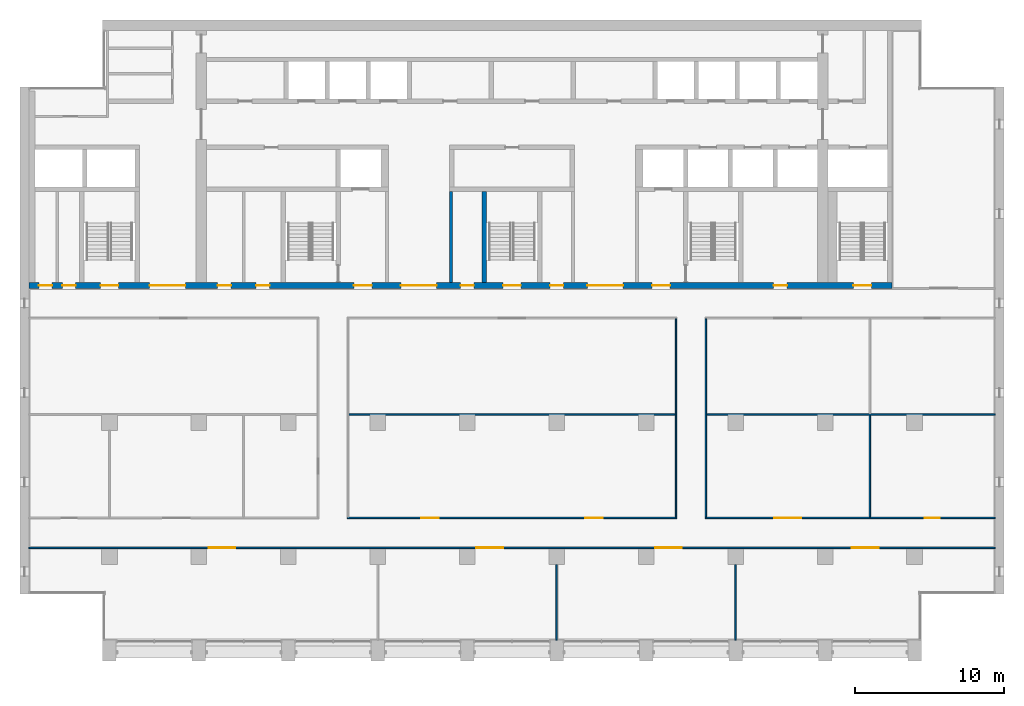
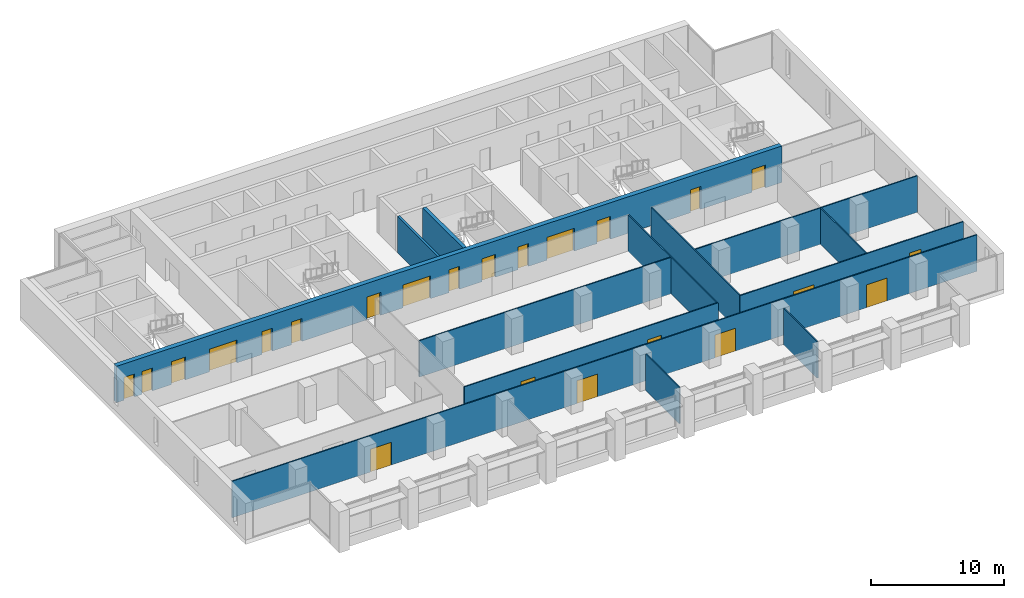
# One storey, part 9 of 17: 23 doors, 13 walls, 23 openings.
"""IFC4 building model written with IfcOpenShell, lengths in metres."""

import ifcopenshell
import ifcopenshell.guid

model = None  # the IFC model being written
_history = None  # IfcOwnerHistory: only IFC2X3 demands one
_inside = {}  # id of a spatial element -> (the spatial element, [elements in it])
_under = {}  # id of a project, library or spatial element -> (it, [spatial elements below it])
_declared = {}  # id of a project -> (the project, [libraries it declares])
_typed = {}  # id of a type object -> (the type object, [elements of that type])
_made_of = {}  # id of a material, layer set ... -> (it, [elements and type objects made of it])


def new_model(schema):
    """Start an empty IFC model of exactly this schema.

    Asked for "IFC4X3", IfcOpenShell would pick the latest addendum, in which some entities
    have other attributes; the version numbers below select the first issue.
    IFC2X3 requires an IfcOwnerHistory on every rooted entity: one is made here for all.
    """
    global model, _history
    if schema == "IFC4X3":
        model = ifcopenshell.file(schema_version=(4, 3, 0, 0))
    else:
        model = ifcopenshell.file(schema=schema)
    _inside.clear()
    _under.clear()
    _declared.clear()
    _typed.clear()
    _made_of.clear()
    _history = None
    if model.schema == "IFC2X3":
        org = make("IfcOrganization", Name="unknown")
        user = make(
            "IfcPersonAndOrganization",
            ThePerson=make("IfcPerson", FamilyName="unknown"),
            TheOrganization=org,
        )
        app = make(
            "IfcApplication",
            ApplicationDeveloper=org,
            Version="unknown",
            ApplicationFullName="unknown",
            ApplicationIdentifier="unknown",
        )
        _history = make(
            "IfcOwnerHistory",
            OwningUser=user,
            OwningApplication=app,
            ChangeAction="ADDED",
            CreationDate=0,
        )
    return model


def make(cls, **values):
    """One entity of the class cls with the attributes given. An attribute that is None is left unset."""
    return model.create_entity(
        cls, **{name: value for name, value in values.items() if value is not None}
    )


def rooted(cls, **values):
    """An entity with a GlobalId (a new one), such as an element, a storey or a relation."""
    return make(cls, GlobalId=ifcopenshell.guid.new(), OwnerHistory=_history, **values)


def si_unit(unit_type, name, prefix=None):
    """IfcSIUnit, for example si_unit("LENGTHUNIT", "METRE", prefix="MILLI")."""
    return make("IfcSIUnit", UnitType=unit_type, Prefix=prefix, Name=name)


def assignment(units):
    """IfcUnitAssignment: the units of a project."""
    return None if units is None else make("IfcUnitAssignment", Units=units)


def point(xyz):
    """IfcCartesianPoint."""
    return None if xyz is None else make("IfcCartesianPoint", Coordinates=xyz)


def direction(xyz):
    """IfcDirection."""
    return None if xyz is None else make("IfcDirection", DirectionRatios=xyz)


def frame(location, z_axis=None, x_axis=None):
    """IfcAxis2Placement3D, a coordinate frame: its origin and axes. An axis left out is left unset."""
    return make(
        "IfcAxis2Placement3D",
        Location=point(location),
        Axis=direction(z_axis),
        RefDirection=direction(x_axis),
    )


def frame_2d(location, x_axis=None):
    """IfcAxis2Placement2D, a coordinate frame in the plane: its origin and x axis."""
    return make(
        "IfcAxis2Placement2D", Location=point(location), RefDirection=direction(x_axis)
    )


def origin():
    """The frame at (0, 0, 0) with its axes left unset."""
    return frame((0.0, 0.0, 0.0))


def place(relative_to, where):
    """IfcLocalPlacement: puts the frame where relative to a parent placement (None: the world)."""
    return make(
        "IfcLocalPlacement", PlacementRelTo=relative_to, RelativePlacement=where
    )


def context(
    kind, dimensions, precision=None, world=None, true_north=None, identifier=None
):
    """IfcGeometricRepresentationContext, for example the 3D "Model" context."""
    return make(
        "IfcGeometricRepresentationContext",
        ContextIdentifier=identifier,
        ContextType=kind,
        CoordinateSpaceDimension=dimensions,
        Precision=precision,
        WorldCoordinateSystem=world,
        TrueNorth=true_north,
    )


def subcontext(parent, identifier, kind, view, scale=None):
    """IfcGeometricRepresentationSubContext, for example "Body" below "Model"."""
    return make(
        "IfcGeometricRepresentationSubContext",
        ContextIdentifier=identifier,
        ContextType=kind,
        ParentContext=parent,
        TargetScale=scale,
        TargetView=view,
    )


def project(units=None, contexts=None):
    """IfcProject with its units and contexts."""
    return rooted(
        "IfcProject",
        Name="project",
        RepresentationContexts=contexts,
        UnitsInContext=assignment(units),
    )


def spatial(cls, under=None, at=None, **own):
    """A site, building, storey or space (cls), placed at a placement, below another one or the project."""
    s = rooted(cls, ObjectPlacement=at, **own)
    if under is not None:
        _under.setdefault(under.id(), (under, []))[1].append(s)
    return s


def profile(cls, at=None, kind="AREA", **sizes):
    """A parametric profile (cls). Its sizes go by their IFC names, for example OverallWidth=200.0."""
    return make(cls, ProfileType=kind, Position=at, **sizes)


def rectangle(**sizes):
    """IfcRectangleProfileDef."""
    return profile("IfcRectangleProfileDef", **sizes)


def extrude(swept, where, along, depth):
    """IfcExtrudedAreaSolid: the profile swept, set in the frame where, extruded along a direction by depth."""
    return make(
        "IfcExtrudedAreaSolid",
        SweptArea=swept,
        Position=where,
        ExtrudedDirection=direction(along),
        Depth=depth,
    )


def shape(context_of_items, identifier, shape_type, items):
    """IfcShapeRepresentation: the items that make up one representation, for example the "Body"."""
    return make(
        "IfcShapeRepresentation",
        ContextOfItems=context_of_items,
        RepresentationIdentifier=identifier,
        RepresentationType=shape_type,
        Items=items,
    )


def material(Name=None, Category=None):
    """IfcMaterial."""
    return make("IfcMaterial", Name=Name, Category=Category)


def layer(
    of_material, thickness, ventilated=None, Name=None, Category=None, Priority=None
):
    """IfcMaterialLayer: one layer of a wall or slab, of a material (None: an air gap)."""
    return make(
        "IfcMaterialLayer",
        Material=of_material,
        LayerThickness=thickness,
        IsVentilated=ventilated,
        Name=Name,
        Category=Category,
        Priority=Priority,
    )


def layer_set(layers, Name=None):
    """IfcMaterialLayerSet."""
    return make("IfcMaterialLayerSet", MaterialLayers=layers, LayerSetName=Name)


def made_of(thing, what):
    """Note that an element or type object is made of a material, layer set ...; save() writes the relation."""
    if what is not None:
        _made_of.setdefault(what.id(), (what, []))[1].append(thing)
    return thing


def type_object(cls, material=None, **own):
    """A type object (cls), such as IfcWallType, which elements share."""
    return made_of(rooted(cls, **own), material)


def element(
    cls,
    number,
    at=None,
    inside=None,
    cuts=None,
    type_object=None,
    material=None,
    context=None,
    identifier="Body",
    shape_type=None,
    held_by="IfcProductDefinitionShape",
    body=None,
    shapes=None,
    **own,
):
    """One element of the class cls, such as IfcWall. Its Tag is "e" and its number.

    at: its placement. inside: the storey or other place that contains it. cuts: it is an
    opening in that element (IfcRelVoidsElement). A single representation is given by context,
    identifier, shape_type and body (its items); several are given by shapes. held_by: the class
    of the entity that holds the representations. save() writes the other relations.
    """
    e = rooted(cls, Tag="e%d" % number, ObjectPlacement=at, **own)
    if body is not None:
        shapes = [shape(context, identifier, shape_type, body)]
    if shapes is not None:
        e.Representation = make(held_by, Representations=shapes)
    if inside is not None:
        _inside.setdefault(inside.id(), (inside, []))[1].append(e)
    if cuts is not None:
        rooted(
            "IfcRelVoidsElement", RelatingBuildingElement=cuts, RelatedOpeningElement=e
        )
    if type_object is not None:
        _typed.setdefault(type_object.id(), (type_object, []))[1].append(e)
    return made_of(e, material)


def fill(opening, filler):
    """IfcRelFillsElement: the door or window that sits in an opening."""
    return rooted(
        "IfcRelFillsElement",
        RelatingOpeningElement=opening,
        RelatedBuildingElement=filler,
    )


def aggregate(whole, parts):
    """IfcRelAggregates: a whole, such as a stair, and the parts it consists of."""
    return rooted("IfcRelAggregates", RelatingObject=whole, RelatedObjects=parts)


def save(model, path):
    """Write the relations noted so far, then the file.

    IfcRelAggregates (storeys below a building ...), IfcRelContainedInSpatialStructure (elements
    in a storey), IfcRelDefinesByType, IfcRelAssociatesMaterial and IfcRelDeclares: one each for
    every whole, place, type object, material and project.
    """
    for whole, parts in _under.values():
        aggregate(whole, parts)
    for where, things in _inside.values():
        rooted(
            "IfcRelContainedInSpatialStructure",
            RelatedElements=things,
            RelatingStructure=where,
        )
    for kind, things in _typed.values():
        rooted("IfcRelDefinesByType", RelatedObjects=things, RelatingType=kind)
    for what, things in _made_of.values():
        rooted("IfcRelAssociatesMaterial", RelatedObjects=things, RelatingMaterial=what)
    for by, libraries in _declared.values():
        rooted("IfcRelDeclares", RelatingContext=by, RelatedDefinitions=libraries)
    model.write(path)


model = new_model("IFC4")

# Units and contexts
model_context = context("Model", 3, precision=1e-05, world=origin(), true_north=direction((0.0, 1.0)))
body_context = subcontext(model_context, "Body", "Model", "MODEL_VIEW")
ifc_project = project(units=[si_unit("LENGTHUNIT", "METRE"), si_unit("AREAUNIT", "SQUARE_METRE"), si_unit("VOLUMEUNIT", "CUBIC_METRE"), si_unit("PLANEANGLEUNIT", "RADIAN"), si_unit("MASSUNIT", "GRAM", prefix="KILO")], contexts=[model_context])

# Site, building, storey
site_placement = place(None, origin())
site = spatial("IfcSite", under=ifc_project, at=site_placement, CompositionType="ELEMENT")
building_placement = place(site_placement, origin())
building = spatial("IfcBuilding", under=site, at=building_placement, Name="Calvaro Tower", CompositionType="ELEMENT")
storey_placement = place(building_placement, frame((0.0, 0.0, 208.0)))
storey = spatial("IfcBuildingStorey", under=building, at=storey_placement, Name="L52", CompositionType="ELEMENT", Elevation=208.0)

# Walls
ifc_material_1 = material(Name="Blockwork partition", Category="masonry")
ifc_layer_1 = layer(ifc_material_1, 0.199951171875)
ifc_layer_set_1 = layer_set([ifc_layer_1], Name="Blockwork partition")
wall_type_1 = type_object("IfcWallType", Name="Core partition 200 REI 120", PredefinedType="PARTITIONING", material=ifc_layer_set_1)
wall_1_placement = place(storey_placement, frame((34.89990234375, 28.39990234375, 0.0), z_axis=(0.0, 0.0, 1.0), x_axis=(0.0, 1.0, 0.0)))
element("IfcWall", 1, at=wall_1_placement, inside=storey, type_object=wall_type_1, Name="Core partition", PredefinedType="PARTITIONING", context=body_context, shape_type="SweptSolid", body=[
    extrude(rectangle(XDim=6.10009765625, YDim=0.199951171875, at=frame_2d((3.050048828125, 0.0))), origin(), (0.0, 0.0, 1.0), 3.35009765625),
])
ifc_material_2 = material(Name="Concrete C50/60", Category="concrete")
ifc_layer_2 = layer(ifc_material_2, 0.300048828125)
ifc_layer_set_2 = layer_set([ifc_layer_2], Name="Concrete C50/60")
wall_type_2 = type_object("IfcWallType", Name="Core wall C50/60 300", PredefinedType="SHEAR", material=ifc_layer_set_2)
wall_2_placement = place(storey_placement, frame((37.14990234375, 28.39990234375, 0.0), z_axis=(0.0, 0.0, 1.0), x_axis=(0.0, 1.0, 0.0)))
element("IfcWall", 2, at=wall_2_placement, inside=storey, type_object=wall_type_2, Name="Core wall, stair enclosure", PredefinedType="SHEAR", context=body_context, shape_type="SweptSolid", body=[
    extrude(rectangle(XDim=6.10009765625, YDim=0.300048828125, at=frame_2d((3.050048828125, 0.0))), origin(), (0.0, 0.0, 1.0), 3.35009765625),
])

# Wall, openings, doors
ifc_material_3 = material(Name="Concrete C50/60", Category="concrete")
ifc_layer_3 = layer(ifc_material_3, 0.39990234375)
ifc_layer_set_3 = layer_set([ifc_layer_3], Name="Concrete C50/60")
wall_type_3 = type_object("IfcWallType", Name="Core wall C50/60 400", PredefinedType="SHEAR", material=ifc_layer_set_3)
wall_3_placement = place(storey_placement, frame((6.60009765625, 28.199951171875, 0.0), z_axis=(0.0, 0.0, 1.0), x_axis=(1.0, 0.0, 0.0)))
wall_3 = element("IfcWall", 3, at=wall_3_placement, inside=storey, type_object=wall_type_3, Name="Core wall, front", PredefinedType="SHEAR", context=body_context, shape_type="SweptSolid", body=[
    extrude(rectangle(XDim=57.89990234375, YDim=0.39990234375, at=frame_2d((28.949951171875, 0.0))), origin(), (0.0, 0.0, 1.0), 3.35009765625),
])
opening_1_placement = place(wall_3_placement, frame((12.66259765625, 0.0, 0.0)))
opening_1 = element("IfcOpeningElement", 4, at=opening_1_placement, cuts=wall_3, Name="Opening RD9E", PredefinedType="OPENING", context=body_context, shape_type="SweptSolid", body=[
    extrude(rectangle(XDim=0.89990234375, YDim=2.10009765625, at=frame_2d((0.449951171875, 1.050048828125))), frame((0.0, 0.2099609375, 0.0), z_axis=(0.0, -1.0, 0.0), x_axis=(1.0, 0.0, 0.0)), (0.0, 0.0, 1.0), 0.419921875),
])
opening_2_placement = place(wall_3_placement, frame((15.237548828125, 0.0, 0.0)))
opening_2 = element("IfcOpeningElement", 5, at=opening_2_placement, cuts=wall_3, Name="Opening RD9C", PredefinedType="OPENING", context=body_context, shape_type="SweptSolid", body=[
    extrude(rectangle(XDim=0.89990234375, YDim=2.10009765625, at=frame_2d((0.449951171875, 1.050048828125))), frame((0.0, 0.2099609375, 0.0), z_axis=(0.0, -1.0, 0.0), x_axis=(1.0, 0.0, 0.0)), (0.0, 0.0, 1.0), 0.419921875),
])
opening_3_placement = place(wall_3_placement, frame((49.949951171875, 0.0, 0.0)))
opening_3 = element("IfcOpeningElement", 6, at=opening_3_placement, cuts=wall_3, Name="Opening RD9E", PredefinedType="OPENING", context=body_context, shape_type="SweptSolid", body=[
    extrude(rectangle(XDim=0.89990234375, YDim=2.10009765625, at=frame_2d((0.449951171875, 1.050048828125))), frame((0.0, 0.2099609375, 0.0), z_axis=(0.0, -1.0, 0.0), x_axis=(1.0, 0.0, 0.0)), (0.0, 0.0, 1.0), 0.419921875),
])
opening_4_placement = place(wall_3_placement, frame((0.66259765625, 0.0, 0.0)))
opening_4 = element("IfcOpeningElement", 7, at=opening_4_placement, cuts=wall_3, Name="Opening RD9C", PredefinedType="OPENING", context=body_context, shape_type="SweptSolid", body=[
    extrude(rectangle(XDim=0.89990234375, YDim=2.10009765625, at=frame_2d((0.449951171875, 1.050048828125))), frame((0.0, 0.2099609375, 0.0), z_axis=(0.0, -1.0, 0.0), x_axis=(1.0, 0.0, 0.0)), (0.0, 0.0, 1.0), 0.419921875),
])
opening_5_placement = place(wall_3_placement, frame((2.237548828125, 0.0, 0.0)))
opening_5 = element("IfcOpeningElement", 8, at=opening_5_placement, cuts=wall_3, Name="Opening RD9E", PredefinedType="OPENING", context=body_context, shape_type="SweptSolid", body=[
    extrude(rectangle(XDim=0.89990234375, YDim=2.10009765625, at=frame_2d((0.449951171875, 1.050048828125))), frame((0.0, 0.2099609375, 0.0), z_axis=(0.0, -1.0, 0.0), x_axis=(1.0, 0.0, 0.0)), (0.0, 0.0, 1.0), 0.419921875),
])
opening_6_placement = place(wall_3_placement, frame((4.800048828125, 0.0, 0.0)))
opening_6 = element("IfcOpeningElement", 9, at=opening_6_placement, cuts=wall_3, Name="Opening SD12D", PredefinedType="OPENING", context=body_context, shape_type="SweptSolid", body=[
    extrude(rectangle(XDim=1.199951171875, YDim=2.10009765625, at=frame_2d((0.60009765625, 1.050048828125))), frame((0.0, 0.2099609375, 0.0), z_axis=(0.0, -1.0, 0.0), x_axis=(1.0, 0.0, 0.0)), (0.0, 0.0, 1.0), 0.419921875),
])
opening_7_placement = place(wall_3_placement, frame((31.800048828125, 0.0, 0.0)))
opening_7 = element("IfcOpeningElement", 10, at=opening_7_placement, cuts=wall_3, Name="Opening SD12D", PredefinedType="OPENING", context=body_context, shape_type="SweptSolid", body=[
    extrude(rectangle(XDim=1.199951171875, YDim=2.10009765625, at=frame_2d((0.60009765625, 1.050048828125))), frame((0.0, 0.2099609375, 0.0), z_axis=(0.0, -1.0, 0.0), x_axis=(1.0, 0.0, 0.0)), (0.0, 0.0, 1.0), 0.419921875),
])
opening_8_placement = place(wall_3_placement, frame((55.300048828125, 0.0, 0.0)))
opening_8 = element("IfcOpeningElement", 11, at=opening_8_placement, cuts=wall_3, Name="Opening SD12D", PredefinedType="OPENING", context=body_context, shape_type="SweptSolid", body=[
    extrude(rectangle(XDim=1.199951171875, YDim=2.10009765625, at=frame_2d((0.60009765625, 1.050048828125))), frame((0.0, 0.2099609375, 0.0), z_axis=(0.0, -1.0, 0.0), x_axis=(1.0, 0.0, 0.0)), (0.0, 0.0, 1.0), 0.419921875),
])
opening_9_placement = place(wall_3_placement, frame((21.800048828125, 0.0, 0.0)))
opening_9 = element("IfcOpeningElement", 12, at=opening_9_placement, cuts=wall_3, Name="Opening FD12F", PredefinedType="OPENING", context=body_context, shape_type="SweptSolid", body=[
    extrude(rectangle(XDim=1.199951171875, YDim=2.10009765625, at=frame_2d((0.60009765625, 1.050048828125))), frame((0.0, 0.2099609375, 0.0), z_axis=(0.0, -1.0, 0.0), x_axis=(1.0, 0.0, 0.0)), (0.0, 0.0, 1.0), 0.419921875),
])
opening_10_placement = place(wall_3_placement, frame((41.800048828125, 0.0, 0.0)))
opening_10 = element("IfcOpeningElement", 13, at=opening_10_placement, cuts=wall_3, Name="Opening FD12F", PredefinedType="OPENING", context=body_context, shape_type="SweptSolid", body=[
    extrude(rectangle(XDim=1.199951171875, YDim=2.10009765625, at=frame_2d((0.60009765625, 1.050048828125))), frame((0.0, 0.2099609375, 0.0), z_axis=(0.0, -1.0, 0.0), x_axis=(1.0, 0.0, 0.0)), (0.0, 0.0, 1.0), 0.419921875),
])
opening_11_placement = place(wall_3_placement, frame((24.949951171875, 0.0, 0.0)))
opening_11 = element("IfcOpeningElement", 14, at=opening_11_placement, cuts=wall_3, Name="Opening DD24D", PredefinedType="OPENING", context=body_context, shape_type="SweptSolid", body=[
    extrude(rectangle(XDim=2.39990234375, YDim=2.10009765625, at=frame_2d((1.199951171875, 1.050048828125))), frame((0.0, 0.2099609375, 0.0), z_axis=(0.0, -1.0, 0.0), x_axis=(1.0, 0.0, 0.0)), (0.0, 0.0, 1.0), 0.419921875),
])
opening_12_placement = place(wall_3_placement, frame((37.449951171875, 0.0, 0.0)))
opening_12 = element("IfcOpeningElement", 15, at=opening_12_placement, cuts=wall_3, Name="Opening DD24D", PredefinedType="OPENING", context=body_context, shape_type="SweptSolid", body=[
    extrude(rectangle(XDim=2.39990234375, YDim=2.10009765625, at=frame_2d((1.199951171875, 1.050048828125))), frame((0.0, 0.2099609375, 0.0), z_axis=(0.0, -1.0, 0.0), x_axis=(1.0, 0.0, 0.0)), (0.0, 0.0, 1.0), 0.419921875),
])
opening_13_placement = place(wall_3_placement, frame((8.10009765625, 0.0, 0.0)))
opening_13 = element("IfcOpeningElement", 16, at=opening_13_placement, cuts=wall_3, Name="Opening DD24D", PredefinedType="OPENING", context=body_context, shape_type="SweptSolid", body=[
    extrude(rectangle(XDim=2.39990234375, YDim=2.10009765625, at=frame_2d((1.199951171875, 1.050048828125))), frame((0.0, 0.2099609375, 0.0), z_axis=(0.0, -1.0, 0.0), x_axis=(1.0, 0.0, 0.0)), (0.0, 0.0, 1.0), 0.419921875),
])
opening_14_placement = place(wall_3_placement, frame((28.949951171875, 0.0, 0.0)))
opening_14 = element("IfcOpeningElement", 17, at=opening_14_placement, cuts=wall_3, Name="Opening RD9E", PredefinedType="OPENING", context=body_context, shape_type="SweptSolid", body=[
    extrude(rectangle(XDim=0.89990234375, YDim=2.10009765625, at=frame_2d((0.449951171875, 1.050048828125))), frame((0.0, 0.2099609375, 0.0), z_axis=(0.0, -1.0, 0.0), x_axis=(1.0, 0.0, 0.0)), (0.0, 0.0, 1.0), 0.419921875),
])
opening_15_placement = place(wall_3_placement, frame((34.949951171875, 0.0, 0.0)))
opening_15 = element("IfcOpeningElement", 18, at=opening_15_placement, cuts=wall_3, Name="Opening RD9E", PredefinedType="OPENING", context=body_context, shape_type="SweptSolid", body=[
    extrude(rectangle(XDim=0.89990234375, YDim=2.10009765625, at=frame_2d((0.449951171875, 1.050048828125))), frame((0.0, 0.2099609375, 0.0), z_axis=(0.0, -1.0, 0.0), x_axis=(1.0, 0.0, 0.0)), (0.0, 0.0, 1.0), 0.419921875),
])
ifc_material_4 = material(Name="Steel door set", Category="steel")
door_type_1 = type_object("IfcDoorType", Name="Fire door 1200 FD60S", OperationType="SINGLE_SWING_LEFT", PredefinedType="DOOR", material=ifc_material_4)
door_1_placement = place(opening_9_placement, origin())
door_1 = element("IfcDoor", 19, at=door_1_placement, inside=storey, type_object=door_type_1, Name="Fire door", OperationType="SINGLE_SWING_LEFT", OverallHeight=2.10009765625, OverallWidth=1.199951171875, PredefinedType="DOOR", context=body_context, shape_type="SweptSolid", body=[
    extrude(rectangle(XDim=1.199951171875, YDim=2.10009765625, at=frame_2d((0.60009765625, 1.050048828125))), frame((0.0, 0.02490234375, 0.0), z_axis=(0.0, -1.0, 0.0), x_axis=(1.0, 0.0, 0.0)), (0.0, 0.0, 1.0), 0.050048828125),
])
fill(opening_9, door_1)
door_2_placement = place(opening_10_placement, origin())
door_2 = element("IfcDoor", 20, at=door_2_placement, inside=storey, type_object=door_type_1, Name="Fire door", OperationType="SINGLE_SWING_LEFT", OverallHeight=2.10009765625, OverallWidth=1.199951171875, PredefinedType="DOOR", context=body_context, shape_type="SweptSolid", body=[
    extrude(rectangle(XDim=1.199951171875, YDim=2.10009765625, at=frame_2d((0.60009765625, 1.050048828125))), frame((0.0, 0.02490234375, 0.0), z_axis=(0.0, -1.0, 0.0), x_axis=(1.0, 0.0, 0.0)), (0.0, 0.0, 1.0), 0.050048828125),
])
fill(opening_10, door_2)
ifc_material_5 = material(Name="Steel door set", Category="steel")
door_type_2 = type_object("IfcDoorType", Name="Lobby double door 2400 FD30S", OperationType="DOUBLE_DOOR_SINGLE_SWING", PredefinedType="DOOR", material=ifc_material_5)
door_3_placement = place(opening_11_placement, origin())
door_3 = element("IfcDoor", 21, at=door_3_placement, inside=storey, type_object=door_type_2, Name="Lobby double door", OperationType="DOUBLE_DOOR_SINGLE_SWING", OverallHeight=2.10009765625, OverallWidth=2.39990234375, PredefinedType="DOOR", context=body_context, shape_type="SweptSolid", body=[
    extrude(rectangle(XDim=2.39990234375, YDim=2.10009765625, at=frame_2d((1.199951171875, 1.050048828125))), frame((0.0, 0.02490234375, 0.0), z_axis=(0.0, -1.0, 0.0), x_axis=(1.0, 0.0, 0.0)), (0.0, 0.0, 1.0), 0.050048828125),
])
fill(opening_11, door_3)
door_4_placement = place(opening_12_placement, origin())
door_4 = element("IfcDoor", 22, at=door_4_placement, inside=storey, type_object=door_type_2, Name="Lobby double door", OperationType="DOUBLE_DOOR_SINGLE_SWING", OverallHeight=2.10009765625, OverallWidth=2.39990234375, PredefinedType="DOOR", context=body_context, shape_type="SweptSolid", body=[
    extrude(rectangle(XDim=2.39990234375, YDim=2.10009765625, at=frame_2d((1.199951171875, 1.050048828125))), frame((0.0, 0.02490234375, 0.0), z_axis=(0.0, -1.0, 0.0), x_axis=(1.0, 0.0, 0.0)), (0.0, 0.0, 1.0), 0.050048828125),
])
fill(opening_12, door_4)
door_5_placement = place(opening_13_placement, origin())
door_5 = element("IfcDoor", 23, at=door_5_placement, inside=storey, type_object=door_type_2, Name="Lobby double door", OperationType="DOUBLE_DOOR_SINGLE_SWING", OverallHeight=2.10009765625, OverallWidth=2.39990234375, PredefinedType="DOOR", context=body_context, shape_type="SweptSolid", body=[
    extrude(rectangle(XDim=2.39990234375, YDim=2.10009765625, at=frame_2d((1.199951171875, 1.050048828125))), frame((0.0, 0.02490234375, 0.0), z_axis=(0.0, -1.0, 0.0), x_axis=(1.0, 0.0, 0.0)), (0.0, 0.0, 1.0), 0.050048828125),
])
fill(opening_13, door_5)
ifc_material_6 = material(Name="Steel door set", Category="steel")
door_type_3 = type_object("IfcDoorType", Name="Room door 900 FD30", OperationType="SINGLE_SWING_LEFT", PredefinedType="DOOR", material=ifc_material_6)
door_6_placement = place(opening_2_placement, origin())
door_6 = element("IfcDoor", 24, at=door_6_placement, inside=storey, type_object=door_type_3, Name="Room door", OperationType="SINGLE_SWING_RIGHT", OverallHeight=2.10009765625, OverallWidth=0.89990234375, PredefinedType="DOOR", context=body_context, shape_type="SweptSolid", body=[
    extrude(rectangle(XDim=0.89990234375, YDim=2.10009765625, at=frame_2d((0.449951171875, 1.050048828125))), frame((0.0, 0.02490234375, 0.0), z_axis=(0.0, -1.0, 0.0), x_axis=(1.0, 0.0, 0.0)), (0.0, 0.0, 1.0), 0.050048828125),
])
fill(opening_2, door_6)
door_7_placement = place(opening_4_placement, origin())
door_7 = element("IfcDoor", 25, at=door_7_placement, inside=storey, type_object=door_type_3, Name="Room door", OperationType="SINGLE_SWING_LEFT", OverallHeight=2.10009765625, OverallWidth=0.89990234375, PredefinedType="DOOR", context=body_context, shape_type="SweptSolid", body=[
    extrude(rectangle(XDim=0.89990234375, YDim=2.10009765625, at=frame_2d((0.449951171875, 1.050048828125))), frame((0.0, 0.02490234375, 0.0), z_axis=(0.0, -1.0, 0.0), x_axis=(1.0, 0.0, 0.0)), (0.0, 0.0, 1.0), 0.050048828125),
])
fill(opening_4, door_7)
ifc_material_7 = material(Name="Steel door set", Category="steel")
door_type_4 = type_object("IfcDoorType", Name="Room door 900 FD60", OperationType="SINGLE_SWING_LEFT", PredefinedType="DOOR", material=ifc_material_7)
door_8_placement = place(opening_1_placement, origin())
door_8 = element("IfcDoor", 26, at=door_8_placement, inside=storey, type_object=door_type_4, Name="Room door", OperationType="SINGLE_SWING_LEFT", OverallHeight=2.10009765625, OverallWidth=0.89990234375, PredefinedType="DOOR", context=body_context, shape_type="SweptSolid", body=[
    extrude(rectangle(XDim=0.89990234375, YDim=2.10009765625, at=frame_2d((0.449951171875, 1.050048828125))), frame((0.0, 0.02490234375, 0.0), z_axis=(0.0, -1.0, 0.0), x_axis=(1.0, 0.0, 0.0)), (0.0, 0.0, 1.0), 0.050048828125),
])
fill(opening_1, door_8)
door_9_placement = place(opening_3_placement, origin())
door_9 = element("IfcDoor", 27, at=door_9_placement, inside=storey, type_object=door_type_4, Name="Room door", OperationType="SINGLE_SWING_LEFT", OverallHeight=2.10009765625, OverallWidth=0.89990234375, PredefinedType="DOOR", context=body_context, shape_type="SweptSolid", body=[
    extrude(rectangle(XDim=0.89990234375, YDim=2.10009765625, at=frame_2d((0.449951171875, 1.050048828125))), frame((0.0, 0.02490234375, 0.0), z_axis=(0.0, -1.0, 0.0), x_axis=(1.0, 0.0, 0.0)), (0.0, 0.0, 1.0), 0.050048828125),
])
fill(opening_3, door_9)
door_10_placement = place(opening_5_placement, origin())
door_10 = element("IfcDoor", 28, at=door_10_placement, inside=storey, type_object=door_type_4, Name="Room door", OperationType="SINGLE_SWING_LEFT", OverallHeight=2.10009765625, OverallWidth=0.89990234375, PredefinedType="DOOR", context=body_context, shape_type="SweptSolid", body=[
    extrude(rectangle(XDim=0.89990234375, YDim=2.10009765625, at=frame_2d((0.449951171875, 1.050048828125))), frame((0.0, 0.02490234375, 0.0), z_axis=(0.0, -1.0, 0.0), x_axis=(1.0, 0.0, 0.0)), (0.0, 0.0, 1.0), 0.050048828125),
])
fill(opening_5, door_10)
door_11_placement = place(opening_14_placement, origin())
door_11 = element("IfcDoor", 29, at=door_11_placement, inside=storey, type_object=door_type_4, Name="Room door", OperationType="SINGLE_SWING_LEFT", OverallHeight=2.10009765625, OverallWidth=0.89990234375, PredefinedType="DOOR", context=body_context, shape_type="SweptSolid", body=[
    extrude(rectangle(XDim=0.89990234375, YDim=2.10009765625, at=frame_2d((0.449951171875, 1.050048828125))), frame((0.0, 0.02490234375, 0.0), z_axis=(0.0, -1.0, 0.0), x_axis=(1.0, 0.0, 0.0)), (0.0, 0.0, 1.0), 0.050048828125),
])
fill(opening_14, door_11)
door_12_placement = place(opening_15_placement, origin())
door_12 = element("IfcDoor", 30, at=door_12_placement, inside=storey, type_object=door_type_4, Name="Room door", OperationType="SINGLE_SWING_LEFT", OverallHeight=2.10009765625, OverallWidth=0.89990234375, PredefinedType="DOOR", context=body_context, shape_type="SweptSolid", body=[
    extrude(rectangle(XDim=0.89990234375, YDim=2.10009765625, at=frame_2d((0.449951171875, 1.050048828125))), frame((0.0, 0.02490234375, 0.0), z_axis=(0.0, -1.0, 0.0), x_axis=(1.0, 0.0, 0.0)), (0.0, 0.0, 1.0), 0.050048828125),
])
fill(opening_15, door_12)
ifc_material_8 = material(Name="Steel door set", Category="steel")
door_type_5 = type_object("IfcDoorType", Name="Stair door 1200 FD30S", OperationType="SINGLE_SWING_LEFT", PredefinedType="DOOR", material=ifc_material_8)
door_13_placement = place(opening_6_placement, origin())
door_13 = element("IfcDoor", 31, at=door_13_placement, inside=storey, type_object=door_type_5, Name="Stair door", OperationType="SINGLE_SWING_LEFT", OverallHeight=2.10009765625, OverallWidth=1.199951171875, PredefinedType="DOOR", context=body_context, shape_type="SweptSolid", body=[
    extrude(rectangle(XDim=1.199951171875, YDim=2.10009765625, at=frame_2d((0.60009765625, 1.050048828125))), frame((0.0, 0.02490234375, 0.0), z_axis=(0.0, -1.0, 0.0), x_axis=(1.0, 0.0, 0.0)), (0.0, 0.0, 1.0), 0.050048828125),
])
fill(opening_6, door_13)
door_14_placement = place(opening_7_placement, origin())
door_14 = element("IfcDoor", 32, at=door_14_placement, inside=storey, type_object=door_type_5, Name="Stair door", OperationType="SINGLE_SWING_LEFT", OverallHeight=2.10009765625, OverallWidth=1.199951171875, PredefinedType="DOOR", context=body_context, shape_type="SweptSolid", body=[
    extrude(rectangle(XDim=1.199951171875, YDim=2.10009765625, at=frame_2d((0.60009765625, 1.050048828125))), frame((0.0, 0.02490234375, 0.0), z_axis=(0.0, -1.0, 0.0), x_axis=(1.0, 0.0, 0.0)), (0.0, 0.0, 1.0), 0.050048828125),
])
fill(opening_7, door_14)
door_15_placement = place(opening_8_placement, origin())
door_15 = element("IfcDoor", 33, at=door_15_placement, inside=storey, type_object=door_type_5, Name="Stair door", OperationType="SINGLE_SWING_LEFT", OverallHeight=2.10009765625, OverallWidth=1.199951171875, PredefinedType="DOOR", context=body_context, shape_type="SweptSolid", body=[
    extrude(rectangle(XDim=1.199951171875, YDim=2.10009765625, at=frame_2d((0.60009765625, 1.050048828125))), frame((0.0, 0.02490234375, 0.0), z_axis=(0.0, -1.0, 0.0), x_axis=(1.0, 0.0, 0.0)), (0.0, 0.0, 1.0), 0.050048828125),
])
fill(opening_8, door_15)

ifc_material_9 = material(Name="Plasterboard on steel studs", Category="steel")
ifc_layer_4 = layer(ifc_material_9, 0.10009765625)
ifc_layer_set_4 = layer_set([ifc_layer_4], Name="Plasterboard on steel studs")
wall_type_4 = type_object("IfcWallType", Name="Partition 100", PredefinedType="PARTITIONING", material=ifc_layer_set_4)
wall_4_placement = place(storey_placement, frame((6.60009765625, 10.60009765625, 0.0), z_axis=(0.0, 0.0, 1.0), x_axis=(1.0, 0.0, 0.0)))
wall_4 = element("IfcWall", 34, at=wall_4_placement, inside=storey, type_object=wall_type_4, Name="Partition T30.W001", PredefinedType="PARTITIONING", context=body_context, shape_type="SweptSolid", body=[
    extrude(rectangle(XDim=64.7998046875, YDim=0.10009765625, at=frame_2d((32.39990234375, 0.0))), origin(), (0.0, 0.0, 1.0), 3.35009765625),
])
opening_16_placement = place(wall_4_placement, frame((30.0, 0.0, 0.0)))
opening_16 = element("IfcOpeningElement", 35, at=opening_16_placement, cuts=wall_4, Name="Opening T30.001", PredefinedType="OPENING", context=body_context, shape_type="SweptSolid", body=[
    extrude(rectangle(XDim=1.800048828125, YDim=2.10009765625, at=frame_2d((0.89990234375, 1.050048828125))), frame((0.0, 0.06005859375, 0.0), z_axis=(0.0, -1.0, 0.0), x_axis=(1.0, 0.0, 0.0)), (0.0, 0.0, 1.0), 0.1201171875),
])
opening_17_placement = place(wall_4_placement, frame((42.0, 0.0, 0.0)))
opening_17 = element("IfcOpeningElement", 36, at=opening_17_placement, cuts=wall_4, Name="Opening T30.002", PredefinedType="OPENING", context=body_context, shape_type="SweptSolid", body=[
    extrude(rectangle(XDim=1.800048828125, YDim=2.10009765625, at=frame_2d((0.89990234375, 1.050048828125))), frame((0.0, 0.06005859375, 0.0), z_axis=(0.0, -1.0, 0.0), x_axis=(1.0, 0.0, 0.0)), (0.0, 0.0, 1.0), 0.1201171875),
])
opening_18_placement = place(wall_4_placement, frame((12.050048828125, 0.0, 0.0)))
opening_18 = element("IfcOpeningElement", 37, at=opening_18_placement, cuts=wall_4, Name="Opening T30.003", PredefinedType="OPENING", context=body_context, shape_type="SweptSolid", body=[
    extrude(rectangle(XDim=1.800048828125, YDim=2.10009765625, at=frame_2d((0.89990234375, 1.050048828125))), frame((0.0, 0.06005859375, 0.0), z_axis=(0.0, -1.0, 0.0), x_axis=(1.0, 0.0, 0.0)), (0.0, 0.0, 1.0), 0.1201171875),
])
opening_19_placement = place(wall_4_placement, frame((55.199951171875, 0.0, 0.0)))
opening_19 = element("IfcOpeningElement", 38, at=opening_19_placement, cuts=wall_4, Name="Opening T30.004", PredefinedType="OPENING", context=body_context, shape_type="SweptSolid", body=[
    extrude(rectangle(XDim=1.800048828125, YDim=2.10009765625, at=frame_2d((0.89990234375, 1.050048828125))), frame((0.0, 0.06005859375, 0.0), z_axis=(0.0, -1.0, 0.0), x_axis=(1.0, 0.0, 0.0)), (0.0, 0.0, 1.0), 0.1201171875),
])
ifc_material_10 = material(Name="Timber", Category="wood")
door_type_6 = type_object("IfcDoorType", Name="Internal double door 1800 x 2100", OperationType="DOUBLE_DOOR_SINGLE_SWING", PredefinedType="DOOR", material=ifc_material_10)
door_16_placement = place(opening_16_placement, origin())
door_16 = element("IfcDoor", 39, at=door_16_placement, inside=storey, type_object=door_type_6, Name="Door T30.001", OperationType="DOUBLE_DOOR_SINGLE_SWING", OverallHeight=2.10009765625, OverallWidth=1.800048828125, PredefinedType="DOOR", context=body_context, shape_type="SweptSolid", body=[
    extrude(rectangle(XDim=1.800048828125, YDim=2.10009765625, at=frame_2d((0.89990234375, 1.050048828125))), frame((0.0, 0.02490234375, 0.0), z_axis=(0.0, -1.0, 0.0), x_axis=(1.0, 0.0, 0.0)), (0.0, 0.0, 1.0), 0.050048828125),
])
fill(opening_16, door_16)
door_17_placement = place(opening_17_placement, origin())
door_17 = element("IfcDoor", 40, at=door_17_placement, inside=storey, type_object=door_type_6, Name="Door T30.002", OperationType="DOUBLE_DOOR_SINGLE_SWING", OverallHeight=2.10009765625, OverallWidth=1.800048828125, PredefinedType="DOOR", context=body_context, shape_type="SweptSolid", body=[
    extrude(rectangle(XDim=1.800048828125, YDim=2.10009765625, at=frame_2d((0.89990234375, 1.050048828125))), frame((0.0, 0.02490234375, 0.0), z_axis=(0.0, -1.0, 0.0), x_axis=(1.0, 0.0, 0.0)), (0.0, 0.0, 1.0), 0.050048828125),
])
fill(opening_17, door_17)
door_18_placement = place(opening_18_placement, origin())
door_18 = element("IfcDoor", 41, at=door_18_placement, inside=storey, type_object=door_type_6, Name="Door T30.003", OperationType="DOUBLE_DOOR_SINGLE_SWING", OverallHeight=2.10009765625, OverallWidth=1.800048828125, PredefinedType="DOOR", context=body_context, shape_type="SweptSolid", body=[
    extrude(rectangle(XDim=1.800048828125, YDim=2.10009765625, at=frame_2d((0.89990234375, 1.050048828125))), frame((0.0, 0.02490234375, 0.0), z_axis=(0.0, -1.0, 0.0), x_axis=(1.0, 0.0, 0.0)), (0.0, 0.0, 1.0), 0.050048828125),
])
fill(opening_18, door_18)
door_19_placement = place(opening_19_placement, origin())
door_19 = element("IfcDoor", 42, at=door_19_placement, inside=storey, type_object=door_type_6, Name="Door T30.004", OperationType="DOUBLE_DOOR_SINGLE_SWING", OverallHeight=2.10009765625, OverallWidth=1.800048828125, PredefinedType="DOOR", context=body_context, shape_type="SweptSolid", body=[
    extrude(rectangle(XDim=1.800048828125, YDim=2.10009765625, at=frame_2d((0.89990234375, 1.050048828125))), frame((0.0, 0.02490234375, 0.0), z_axis=(0.0, -1.0, 0.0), x_axis=(1.0, 0.0, 0.0)), (0.0, 0.0, 1.0), 0.050048828125),
])
fill(opening_19, door_19)

wall_5_placement = place(storey_placement, frame((27.949951171875, 12.60009765625, 0.0), z_axis=(0.0, 0.0, 1.0), x_axis=(1.0, 0.0, 0.0)))
wall_5 = element("IfcWall", 43, at=wall_5_placement, inside=storey, type_object=wall_type_4, Name="Partition T30.W003", PredefinedType="PARTITIONING", context=body_context, shape_type="SweptSolid", body=[
    extrude(rectangle(XDim=22.10009765625, YDim=0.10009765625, at=frame_2d((11.050048828125, 0.0))), origin(), (0.0, 0.0, 1.0), 3.35009765625),
])
opening_20_placement = place(wall_5_placement, frame((4.949951171875, 0.0, 0.0)))
opening_20 = element("IfcOpeningElement", 44, at=opening_20_placement, cuts=wall_5, Name="Opening T30.008", PredefinedType="OPENING", context=body_context, shape_type="SweptSolid", body=[
    extrude(rectangle(XDim=1.199951171875, YDim=2.10009765625, at=frame_2d((0.60009765625, 1.050048828125))), frame((0.0, 0.06005859375, 0.0), z_axis=(0.0, -1.0, 0.0), x_axis=(1.0, 0.0, 0.0)), (0.0, 0.0, 1.0), 0.1201171875),
])
opening_21_placement = place(wall_5_placement, frame((15.949951171875, 0.0, 0.0)))
opening_21 = element("IfcOpeningElement", 45, at=opening_21_placement, cuts=wall_5, Name="Opening T30.009", PredefinedType="OPENING", context=body_context, shape_type="SweptSolid", body=[
    extrude(rectangle(XDim=1.199951171875, YDim=2.10009765625, at=frame_2d((0.60009765625, 1.050048828125))), frame((0.0, 0.06005859375, 0.0), z_axis=(0.0, -1.0, 0.0), x_axis=(1.0, 0.0, 0.0)), (0.0, 0.0, 1.0), 0.1201171875),
])
ifc_material_11 = material(Name="Timber", Category="wood")
door_type_7 = type_object("IfcDoorType", Name="Internal single door 1200 x 2100", OperationType="SINGLE_SWING_LEFT", PredefinedType="DOOR", material=ifc_material_11)
door_20_placement = place(opening_20_placement, origin())
door_20 = element("IfcDoor", 46, at=door_20_placement, inside=storey, type_object=door_type_7, Name="Door T30.008", OperationType="SINGLE_SWING_LEFT", OverallHeight=2.10009765625, OverallWidth=1.199951171875, PredefinedType="DOOR", context=body_context, shape_type="SweptSolid", body=[
    extrude(rectangle(XDim=1.199951171875, YDim=2.10009765625, at=frame_2d((0.60009765625, 1.050048828125))), frame((0.0, 0.02490234375, 0.0), z_axis=(0.0, -1.0, 0.0), x_axis=(1.0, 0.0, 0.0)), (0.0, 0.0, 1.0), 0.050048828125),
])
fill(opening_20, door_20)
door_21_placement = place(opening_21_placement, origin())
door_21 = element("IfcDoor", 47, at=door_21_placement, inside=storey, type_object=door_type_7, Name="Door T30.009", OperationType="SINGLE_SWING_RIGHT", OverallHeight=2.10009765625, OverallWidth=1.199951171875, PredefinedType="DOOR", context=body_context, shape_type="SweptSolid", body=[
    extrude(rectangle(XDim=1.199951171875, YDim=2.10009765625, at=frame_2d((0.60009765625, 1.050048828125))), frame((0.0, 0.02490234375, 0.0), z_axis=(0.0, -1.0, 0.0), x_axis=(1.0, 0.0, 0.0)), (0.0, 0.0, 1.0), 0.050048828125),
])
fill(opening_21, door_21)

wall_6_placement = place(storey_placement, frame((51.949951171875, 12.60009765625, 0.0), z_axis=(0.0, 0.0, 1.0), x_axis=(1.0, 0.0, 0.0)))
wall_6 = element("IfcWall", 48, at=wall_6_placement, inside=storey, type_object=wall_type_4, Name="Partition T30.W004", PredefinedType="PARTITIONING", context=body_context, shape_type="SweptSolid", body=[
    extrude(rectangle(XDim=19.449951171875, YDim=0.10009765625, at=frame_2d((9.72509765625, 0.0))), origin(), (0.0, 0.0, 1.0), 3.35009765625),
])
opening_22_placement = place(wall_6_placement, frame((4.64990234375, 0.0, 0.0)))
opening_22 = element("IfcOpeningElement", 49, at=opening_22_placement, cuts=wall_6, Name="Opening T30.010", PredefinedType="OPENING", context=body_context, shape_type="SweptSolid", body=[
    extrude(rectangle(XDim=1.800048828125, YDim=2.10009765625, at=frame_2d((0.89990234375, 1.050048828125))), frame((0.0, 0.06005859375, 0.0), z_axis=(0.0, -1.0, 0.0), x_axis=(1.0, 0.0, 0.0)), (0.0, 0.0, 1.0), 0.1201171875),
])
opening_23_placement = place(wall_6_placement, frame((14.75, 0.0, 0.0)))
opening_23 = element("IfcOpeningElement", 50, at=opening_23_placement, cuts=wall_6, Name="Opening T30.011", PredefinedType="OPENING", context=body_context, shape_type="SweptSolid", body=[
    extrude(rectangle(XDim=1.0, YDim=2.10009765625, at=frame_2d((0.5, 1.050048828125))), frame((0.0, 0.06005859375, 0.0), z_axis=(0.0, -1.0, 0.0), x_axis=(1.0, 0.0, 0.0)), (0.0, 0.0, 1.0), 0.1201171875),
])
door_22_placement = place(opening_22_placement, origin())
door_22 = element("IfcDoor", 51, at=door_22_placement, inside=storey, type_object=door_type_6, Name="Door T30.010", OperationType="DOUBLE_DOOR_SINGLE_SWING", OverallHeight=2.10009765625, OverallWidth=1.800048828125, PredefinedType="DOOR", context=body_context, shape_type="SweptSolid", body=[
    extrude(rectangle(XDim=1.800048828125, YDim=2.10009765625, at=frame_2d((0.89990234375, 1.050048828125))), frame((0.0, 0.02490234375, 0.0), z_axis=(0.0, -1.0, 0.0), x_axis=(1.0, 0.0, 0.0)), (0.0, 0.0, 1.0), 0.050048828125),
])
fill(opening_22, door_22)
ifc_material_12 = material(Name="Timber", Category="wood")
door_type_8 = type_object("IfcDoorType", Name="Internal single door 1000 x 2100", OperationType="SINGLE_SWING_LEFT", PredefinedType="DOOR", material=ifc_material_12)
door_23_placement = place(opening_23_placement, origin())
door_23 = element("IfcDoor", 52, at=door_23_placement, inside=storey, type_object=door_type_8, Name="Door T30.011", OperationType="SINGLE_SWING_RIGHT", OverallHeight=2.10009765625, OverallWidth=1.0, PredefinedType="DOOR", context=body_context, shape_type="SweptSolid", body=[
    extrude(rectangle(XDim=1.0, YDim=2.10009765625, at=frame_2d((0.5, 1.050048828125))), frame((0.0, 0.02490234375, 0.0), z_axis=(0.0, -1.0, 0.0), x_axis=(1.0, 0.0, 0.0)), (0.0, 0.0, 1.0), 0.050048828125),
])
fill(opening_23, door_23)

# Walls
wall_7_placement = place(storey_placement, frame((28.050048828125, 19.550048828125, 0.0), z_axis=(0.0, 0.0, 1.0), x_axis=(1.0, 0.0, 0.0)))
element("IfcWall", 53, at=wall_7_placement, inside=storey, type_object=wall_type_4, Name="Partition T30.W006", PredefinedType="PARTITIONING", context=body_context, shape_type="SweptSolid", body=[
    extrude(rectangle(XDim=21.89990234375, YDim=0.10009765625, at=frame_2d((10.949951171875, 0.0))), origin(), (0.0, 0.0, 1.0), 3.35009765625),
])
wall_8_placement = place(storey_placement, frame((52.050048828125, 19.550048828125, 0.0), z_axis=(0.0, 0.0, 1.0), x_axis=(1.0, 0.0, 0.0)))
element("IfcWall", 54, at=wall_8_placement, inside=storey, type_object=wall_type_4, Name="Partition T30.W007", PredefinedType="PARTITIONING", context=body_context, shape_type="SweptSolid", body=[
    extrude(rectangle(XDim=19.349853515625, YDim=0.10009765625, at=frame_2d((9.6748046875, 0.0))), origin(), (0.0, 0.0, 1.0), 3.35009765625),
])
wall_9_placement = place(storey_placement, frame((42.0, 4.39990234375, 0.0), z_axis=(0.0, 0.0, 1.0), x_axis=(0.0, 1.0, 0.0)))
element("IfcWall", 55, at=wall_9_placement, inside=storey, type_object=wall_type_4, Name="Partition T30.W017", PredefinedType="PARTITIONING", context=body_context, shape_type="SweptSolid", body=[
    extrude(rectangle(XDim=5.0751953125, YDim=0.10009765625, at=frame_2d((2.53759765625, 0.0))), origin(), (0.0, 0.0, 1.0), 3.35009765625),
])
for number, where, z_axis, x_axis, name in (
    (56, (50.0, 12.64990234375, 0.0), (0.0, 0.0, 1.0), (0.0, 1.0, 0.0), "Partition T30.W018"),
    (57, (52.0, 12.64990234375, 0.0), (0.0, 0.0, 1.0), (0.0, 1.0, 0.0), "Partition T30.W019"),
):
    element("IfcWall", number, at=place(storey_placement, frame(where, z_axis=z_axis, x_axis=x_axis)), inside=storey, type_object=wall_type_4, Name=name, PredefinedType="PARTITIONING", context=body_context, shape_type="SweptSolid", body=[
        extrude(rectangle(XDim=13.300048828125, YDim=0.10009765625, at=frame_2d((6.64990234375, 0.0))), origin(), (0.0, 0.0, 1.0), 3.35009765625),
    ])
wall_10_placement = place(storey_placement, frame((54.0, 4.39990234375, 0.0), z_axis=(0.0, 0.0, 1.0), x_axis=(0.0, 1.0, 0.0)))
element("IfcWall", 58, at=wall_10_placement, inside=storey, type_object=wall_type_4, Name="Partition T30.W020", PredefinedType="PARTITIONING", context=body_context, shape_type="SweptSolid", body=[
    extrude(rectangle(XDim=5.0751953125, YDim=0.10009765625, at=frame_2d((2.53759765625, 0.0))), origin(), (0.0, 0.0, 1.0), 3.35009765625),
])
wall_11_placement = place(storey_placement, frame((63.0, 12.64990234375, 0.0), z_axis=(0.0, 0.0, 1.0), x_axis=(0.0, 1.0, 0.0)))
element("IfcWall", 59, at=wall_11_placement, inside=storey, type_object=wall_type_4, Name="Partition T30.W021", PredefinedType="PARTITIONING", context=body_context, shape_type="SweptSolid", body=[
    extrude(rectangle(XDim=6.85009765625, YDim=0.10009765625, at=frame_2d((3.425048828125, 0.0))), origin(), (0.0, 0.0, 1.0), 3.35009765625),
])

save(model, "model.ifc")
